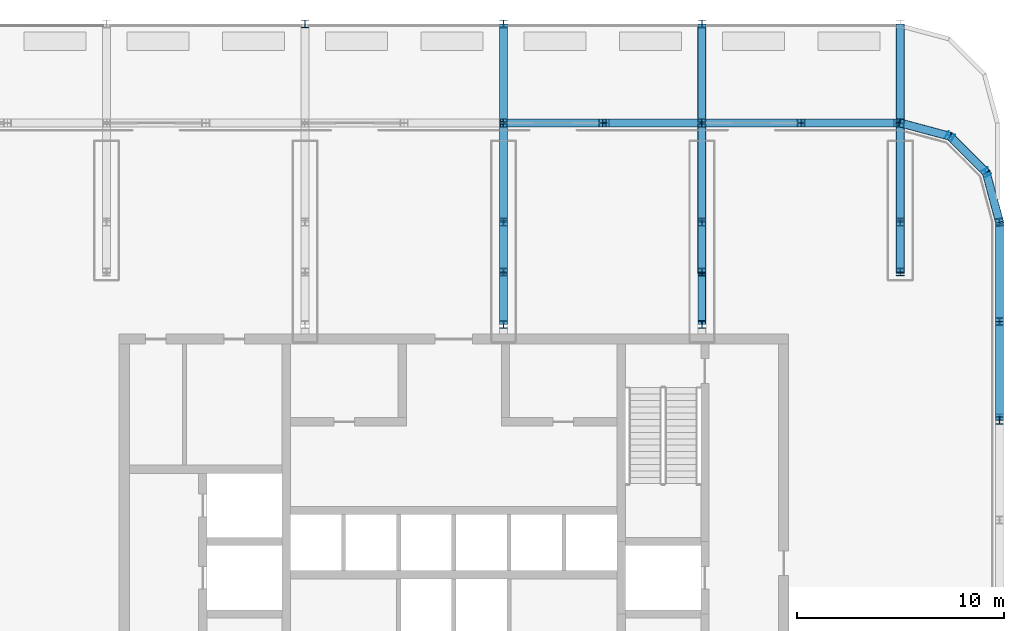
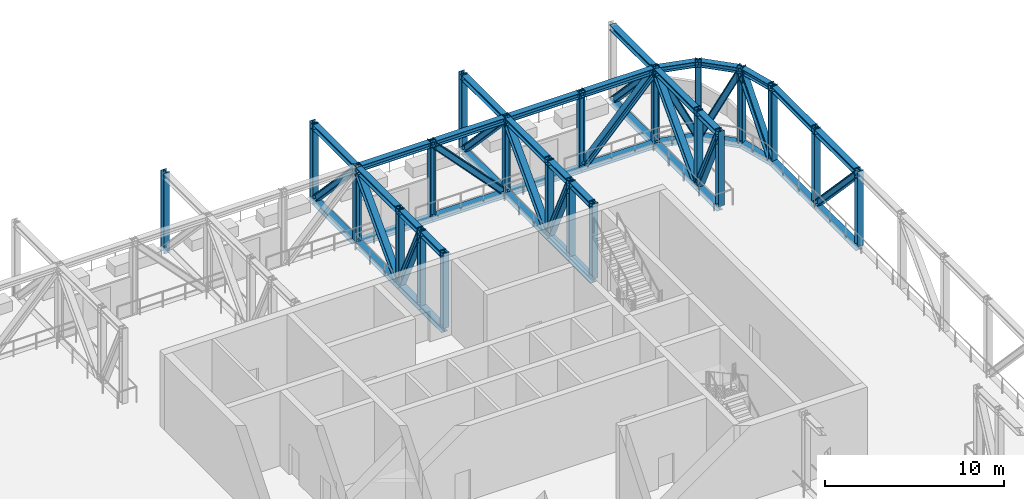
# One storey, part 6 of 16: 76 members.
"""IFC4 building model written with IfcOpenShell, lengths in metres."""

from ifc_helpers import new_model, si_unit, direction, frame, origin, origin_2d, place, context, subcontext, project, spatial, i_section, extrude, material, material_profile, profile_set, type_object, element, save


model = new_model("IFC4")

# Units and contexts
model_context = context("Model", 3, precision=1e-05, world=origin(), true_north=direction((0.0, 1.0)))
body_context = subcontext(model_context, "Body", "Model", "MODEL_VIEW")
ifc_project = project(units=[si_unit("LENGTHUNIT", "METRE"), si_unit("AREAUNIT", "SQUARE_METRE"), si_unit("VOLUMEUNIT", "CUBIC_METRE"), si_unit("PLANEANGLEUNIT", "RADIAN"), si_unit("MASSUNIT", "GRAM", prefix="KILO")], contexts=[model_context])

# Site, building, storey
site_placement = place(None, origin())
site = spatial("IfcSite", under=ifc_project, at=site_placement, CompositionType="ELEMENT")
building_placement = place(site_placement, origin())
building = spatial("IfcBuilding", under=site, at=building_placement, Name="Madar Terraces", CompositionType="ELEMENT")
storey_placement = place(building_placement, frame((0.0, 0.0, 263.199951171875)))
storey = spatial("IfcBuildingStorey", under=building, at=storey_placement, Name="L69", CompositionType="ELEMENT", Elevation=263.199951171875)

# Members
ifc_material_1 = material(Name="Steel ASTM A992 Grade 50", Category="steel")
ifc_material_profile_1 = material_profile(ifc_material_1, i_section(OverallWidth=0.396240234375, OverallDepth=0.381103515625, WebThickness=0.01904296875, FlangeThickness=0.0302734375, at=origin_2d()), Name="W14x159")
ifc_profile_set_1 = profile_set([ifc_material_profile_1], Name="Steel ASTM A992 Grade 50")
member_type_1 = type_object("IfcMemberType", Name="BC9 W14x159", PredefinedType="CHORD", material=ifc_profile_set_1)
member_1_placement = place(storey_placement, frame((57.60009765625, 33.60009765625, -0.2294921875), z_axis=(0.0, 1.0, 0.0), x_axis=(-1.0, 0.0, 0.0)))
element("IfcMember", 1, at=member_1_placement, inside=storey, type_object=member_type_1, Name="Exoskeleton truss ring bottom chord BC9", PredefinedType="CHORD", context=body_context, shape_type="SweptSolid", body=[
    extrude(i_section(OverallWidth=0.396240234375, OverallDepth=0.381103515625, WebThickness=0.01904296875, FlangeThickness=0.0302734375, at=origin_2d()), origin(), (0.0, 0.0, 1.0), 4.7998046875),
])
member_2_placement = place(storey_placement, frame((57.60009765625, 38.39990234375, -0.2294921875), z_axis=(0.0, 1.0, 0.0), x_axis=(-1.0, 0.0, 0.0)))
element("IfcMember", 2, at=member_2_placement, inside=storey, type_object=member_type_1, Name="Exoskeleton truss ring bottom chord BC9", PredefinedType="CHORD", context=body_context, shape_type="SweptSolid", body=[
    extrude(i_section(OverallWidth=0.396240234375, OverallDepth=0.381103515625, WebThickness=0.01904296875, FlangeThickness=0.0302734375, at=origin_2d()), origin(), (0.0, 0.0, 1.0), 4.800048828125),
])
member_3_placement = place(storey_placement, frame((57.60009765625, 43.199951171875, -0.2294921875), z_axis=(-0.258799930484, 0.965930947833, 0.0), x_axis=(-0.965930947833, -0.258799930484, 0.0)))
element("IfcMember", 3, at=member_3_placement, inside=storey, type_object=member_type_1, Name="Exoskeleton truss ring bottom chord BC9", PredefinedType="CHORD", context=body_context, shape_type="SweptSolid", body=[
    extrude(i_section(OverallWidth=0.396240234375, OverallDepth=0.381103515625, WebThickness=0.01904296875, FlangeThickness=0.0302734375, at=origin_2d()), origin(), (0.0, 0.0, 1.0), 2.48486328125),
])
for number, where, z_axis, x_axis, name in (
    (4, (56.95703125, 45.60009765625, -0.2294921875), (-0.707155907999, 0.70705765096, 0.0), (-0.70705765096, -0.707155907999, 0.0), "Exoskeleton truss ring bottom chord BC9"),
    (5, (55.199951171875, 47.35693359375, -0.2294921875), (-0.965924366126, 0.258824494443, 0.0), (-0.258824494443, -0.965924366126, 0.0), "Exoskeleton truss ring bottom chord BC9"),
):
    element("IfcMember", number, at=place(storey_placement, frame(where, z_axis=z_axis, x_axis=x_axis)), inside=storey, type_object=member_type_1, Name=name, PredefinedType="CHORD", context=body_context, shape_type="SweptSolid", body=[
        extrude(i_section(OverallWidth=0.396240234375, OverallDepth=0.381103515625, WebThickness=0.01904296875, FlangeThickness=0.0302734375, at=origin_2d()), origin(), (0.0, 0.0, 1.0), 2.484619140625),
    ])
for number, where, z_axis, x_axis, name in (
    (6, (52.800048828125, 48.0, -0.2294921875), (-1.0, 0.0, 0.0), (0.0, -1.0, 0.0), "Exoskeleton truss ring bottom chord BC9"),
    (7, (48.0, 48.0, -0.2294921875), (-1.0, 0.0, 0.0), (0.0, -1.0, 0.0), "Exoskeleton truss ring bottom chord BC9"),
    (8, (43.199951171875, 48.0, -0.2294921875), (-1.0, 0.0, 0.0), (0.0, -1.0, 0.0), "Exoskeleton truss ring bottom chord BC9"),
):
    element("IfcMember", number, at=place(storey_placement, frame(where, z_axis=z_axis, x_axis=x_axis)), inside=storey, type_object=member_type_1, Name=name, PredefinedType="CHORD", context=body_context, shape_type="SweptSolid", body=[
        extrude(i_section(OverallWidth=0.396240234375, OverallDepth=0.381103515625, WebThickness=0.01904296875, FlangeThickness=0.0302734375, at=origin_2d()), origin(), (0.0, 0.0, 1.0), 4.800048828125),
    ])
member_4_placement = place(storey_placement, frame((38.39990234375, 48.0, -0.2294921875), z_axis=(-1.0, 0.0, 0.0), x_axis=(0.0, -1.0, 0.0)))
element("IfcMember", 9, at=member_4_placement, inside=storey, type_object=member_type_1, Name="Exoskeleton truss ring bottom chord BC9", PredefinedType="CHORD", context=body_context, shape_type="SweptSolid", body=[
    extrude(i_section(OverallWidth=0.396240234375, OverallDepth=0.381103515625, WebThickness=0.01904296875, FlangeThickness=0.0302734375, at=origin_2d()), origin(), (0.0, 0.0, 1.0), 4.7998046875),
])
for number, where, z_axis, x_axis, name in (
    (10, (33.60009765625, 52.800048828125, -0.2294921875), (0.0, -1.0, 0.0), (1.0, 0.0, 0.0), "Exoskeleton truss cross N33.6 bottom chord BC9"),
    (11, (33.60009765625, 47.802001953125, -0.2294921875), (0.0, -1.0, 0.0), (1.0, 0.0, 0.0), "Exoskeleton truss cross N33.6 bottom chord BC9"),
):
    element("IfcMember", number, at=place(storey_placement, frame(where, z_axis=z_axis, x_axis=x_axis)), inside=storey, type_object=member_type_1, Name=name, PredefinedType="CHORD", context=body_context, shape_type="SweptSolid", body=[
        extrude(i_section(OverallWidth=0.396240234375, OverallDepth=0.381103515625, WebThickness=0.01904296875, FlangeThickness=0.0302734375, at=origin_2d()), origin(), (0.0, 0.0, 1.0), 4.60205078125),
    ])
member_5_placement = place(storey_placement, frame((33.60009765625, 43.199951171875, -0.2294921875), z_axis=(0.0, -1.0, 0.0), x_axis=(1.0, 0.0, 0.0)))
element("IfcMember", 12, at=member_5_placement, inside=storey, type_object=member_type_1, Name="Exoskeleton truss cross N33.6 bottom chord BC9", PredefinedType="CHORD", context=body_context, shape_type="SweptSolid", body=[
    extrude(i_section(OverallWidth=0.396240234375, OverallDepth=0.381103515625, WebThickness=0.01904296875, FlangeThickness=0.0302734375, at=origin_2d()), origin(), (0.0, 0.0, 1.0), 2.39990234375),
])
member_6_placement = place(storey_placement, frame((33.60009765625, 40.800048828125, -0.2294921875), z_axis=(0.0, -1.0, 0.0), x_axis=(1.0, 0.0, 0.0)))
element("IfcMember", 13, at=member_6_placement, inside=storey, type_object=member_type_1, Name="Exoskeleton truss cross N33.6 bottom chord BC9", PredefinedType="CHORD", context=body_context, shape_type="SweptSolid", body=[
    extrude(i_section(OverallWidth=0.396240234375, OverallDepth=0.381103515625, WebThickness=0.01904296875, FlangeThickness=0.0302734375, at=origin_2d()), origin(), (0.0, 0.0, 1.0), 2.550048828125),
])
for number, where, z_axis, x_axis, name in (
    (14, (43.199951171875, 52.800048828125, -0.2294921875), (0.0, -1.0, 0.0), (1.0, 0.0, 0.0), "Exoskeleton truss cross N43.2 bottom chord BC9"),
    (15, (43.199951171875, 47.802001953125, -0.2294921875), (0.0, -1.0, 0.0), (1.0, 0.0, 0.0), "Exoskeleton truss cross N43.2 bottom chord BC9"),
):
    element("IfcMember", number, at=place(storey_placement, frame(where, z_axis=z_axis, x_axis=x_axis)), inside=storey, type_object=member_type_1, Name=name, PredefinedType="CHORD", context=body_context, shape_type="SweptSolid", body=[
        extrude(i_section(OverallWidth=0.396240234375, OverallDepth=0.381103515625, WebThickness=0.01904296875, FlangeThickness=0.0302734375, at=origin_2d()), origin(), (0.0, 0.0, 1.0), 4.60205078125),
    ])
member_7_placement = place(storey_placement, frame((43.199951171875, 43.199951171875, -0.2294921875), z_axis=(0.0, -1.0, 0.0), x_axis=(1.0, 0.0, 0.0)))
element("IfcMember", 16, at=member_7_placement, inside=storey, type_object=member_type_1, Name="Exoskeleton truss cross N43.2 bottom chord BC9", PredefinedType="CHORD", context=body_context, shape_type="SweptSolid", body=[
    extrude(i_section(OverallWidth=0.396240234375, OverallDepth=0.381103515625, WebThickness=0.01904296875, FlangeThickness=0.0302734375, at=origin_2d()), origin(), (0.0, 0.0, 1.0), 2.39990234375),
])
member_8_placement = place(storey_placement, frame((43.199951171875, 40.800048828125, -0.2294921875), z_axis=(0.0, -1.0, 0.0), x_axis=(1.0, 0.0, 0.0)))
element("IfcMember", 17, at=member_8_placement, inside=storey, type_object=member_type_1, Name="Exoskeleton truss cross N43.2 bottom chord BC9", PredefinedType="CHORD", context=body_context, shape_type="SweptSolid", body=[
    extrude(i_section(OverallWidth=0.396240234375, OverallDepth=0.381103515625, WebThickness=0.01904296875, FlangeThickness=0.0302734375, at=origin_2d()), origin(), (0.0, 0.0, 1.0), 2.550048828125),
])
for number, where, z_axis, x_axis, name in (
    (18, (52.800048828125, 52.800048828125, -0.2294921875), (0.0, -1.0, 0.0), (1.0, 0.0, 0.0), "Exoskeleton truss cross N52.8 bottom chord BC9"),
    (19, (52.800048828125, 47.802001953125, -0.2294921875), (0.0, -1.0, 0.0), (1.0, 0.0, 0.0), "Exoskeleton truss cross N52.8 bottom chord BC9"),
):
    element("IfcMember", number, at=place(storey_placement, frame(where, z_axis=z_axis, x_axis=x_axis)), inside=storey, type_object=member_type_1, Name=name, PredefinedType="CHORD", context=body_context, shape_type="SweptSolid", body=[
        extrude(i_section(OverallWidth=0.396240234375, OverallDepth=0.381103515625, WebThickness=0.01904296875, FlangeThickness=0.0302734375, at=origin_2d()), origin(), (0.0, 0.0, 1.0), 4.60205078125),
    ])
member_9_placement = place(storey_placement, frame((52.800048828125, 43.199951171875, -0.2294921875), z_axis=(0.0, -1.0, 0.0), x_axis=(1.0, 0.0, 0.0)))
element("IfcMember", 20, at=member_9_placement, inside=storey, type_object=member_type_1, Name="Exoskeleton truss cross N52.8 bottom chord BC9", PredefinedType="CHORD", context=body_context, shape_type="SweptSolid", body=[
    extrude(i_section(OverallWidth=0.396240234375, OverallDepth=0.381103515625, WebThickness=0.01904296875, FlangeThickness=0.0302734375, at=origin_2d()), origin(), (0.0, 0.0, 1.0), 2.39990234375),
])
ifc_material_2 = material(Name="Steel ASTM A992 Grade 50", Category="steel")
ifc_material_profile_2 = material_profile(ifc_material_2, i_section(OverallWidth=0.373291015625, OverallDepth=0.373291015625, WebThickness=0.016357421875, FlangeThickness=0.026123046875, at=origin_2d()), Name="W14x132")
ifc_profile_set_2 = profile_set([ifc_material_profile_2], Name="Steel ASTM A992 Grade 50")
member_type_2 = type_object("IfcMemberType", Name="TC9 W14x132", PredefinedType="CHORD", material=ifc_profile_set_2)
member_10_placement = place(storey_placement, frame((57.60009765625, 33.60009765625, 4.84326171875), z_axis=(0.0, 1.0, 0.0), x_axis=(-1.0, 0.0, 0.0)))
element("IfcMember", 21, at=member_10_placement, inside=storey, type_object=member_type_2, Name="Exoskeleton truss ring top chord TC9", PredefinedType="CHORD", context=body_context, shape_type="SweptSolid", body=[
    extrude(i_section(OverallWidth=0.373291015625, OverallDepth=0.373291015625, WebThickness=0.016357421875, FlangeThickness=0.026123046875, at=origin_2d()), origin(), (0.0, 0.0, 1.0), 4.7998046875),
])
member_11_placement = place(storey_placement, frame((57.60009765625, 38.39990234375, 4.84326171875), z_axis=(0.0, 1.0, 0.0), x_axis=(-1.0, 0.0, 0.0)))
element("IfcMember", 22, at=member_11_placement, inside=storey, type_object=member_type_2, Name="Exoskeleton truss ring top chord TC9", PredefinedType="CHORD", context=body_context, shape_type="SweptSolid", body=[
    extrude(i_section(OverallWidth=0.373291015625, OverallDepth=0.373291015625, WebThickness=0.016357421875, FlangeThickness=0.026123046875, at=origin_2d()), origin(), (0.0, 0.0, 1.0), 4.800048828125),
])
member_12_placement = place(storey_placement, frame((57.60009765625, 43.199951171875, 4.84326171875), z_axis=(-0.258799930484, 0.965930947833, 0.0), x_axis=(-0.965930947833, -0.258799930484, 0.0)))
element("IfcMember", 23, at=member_12_placement, inside=storey, type_object=member_type_2, Name="Exoskeleton truss ring top chord TC9", PredefinedType="CHORD", context=body_context, shape_type="SweptSolid", body=[
    extrude(i_section(OverallWidth=0.373291015625, OverallDepth=0.373291015625, WebThickness=0.016357421875, FlangeThickness=0.026123046875, at=origin_2d()), origin(), (0.0, 0.0, 1.0), 2.48486328125),
])
for number, where, z_axis, x_axis, name in (
    (24, (56.95703125, 45.60009765625, 4.84326171875), (-0.707155907999, 0.70705765096, 0.0), (-0.70705765096, -0.707155907999, 0.0), "Exoskeleton truss ring top chord TC9"),
    (25, (55.199951171875, 47.35693359375, 4.84326171875), (-0.965924366126, 0.258824494443, 0.0), (-0.258824494443, -0.965924366126, 0.0), "Exoskeleton truss ring top chord TC9"),
):
    element("IfcMember", number, at=place(storey_placement, frame(where, z_axis=z_axis, x_axis=x_axis)), inside=storey, type_object=member_type_2, Name=name, PredefinedType="CHORD", context=body_context, shape_type="SweptSolid", body=[
        extrude(i_section(OverallWidth=0.373291015625, OverallDepth=0.373291015625, WebThickness=0.016357421875, FlangeThickness=0.026123046875, at=origin_2d()), origin(), (0.0, 0.0, 1.0), 2.484619140625),
    ])
for number, where, z_axis, x_axis, name in (
    (26, (52.800048828125, 48.0, 4.84326171875), (-1.0, 0.0, 0.0), (0.0, -1.0, 0.0), "Exoskeleton truss ring top chord TC9"),
    (27, (48.0, 48.0, 4.84326171875), (-1.0, 0.0, 0.0), (0.0, -1.0, 0.0), "Exoskeleton truss ring top chord TC9"),
    (28, (43.199951171875, 48.0, 4.84326171875), (-1.0, 0.0, 0.0), (0.0, -1.0, 0.0), "Exoskeleton truss ring top chord TC9"),
):
    element("IfcMember", number, at=place(storey_placement, frame(where, z_axis=z_axis, x_axis=x_axis)), inside=storey, type_object=member_type_2, Name=name, PredefinedType="CHORD", context=body_context, shape_type="SweptSolid", body=[
        extrude(i_section(OverallWidth=0.373291015625, OverallDepth=0.373291015625, WebThickness=0.016357421875, FlangeThickness=0.026123046875, at=origin_2d()), origin(), (0.0, 0.0, 1.0), 4.800048828125),
    ])
member_13_placement = place(storey_placement, frame((38.39990234375, 48.0, 4.84326171875), z_axis=(-1.0, 0.0, 0.0), x_axis=(0.0, -1.0, 0.0)))
element("IfcMember", 29, at=member_13_placement, inside=storey, type_object=member_type_2, Name="Exoskeleton truss ring top chord TC9", PredefinedType="CHORD", context=body_context, shape_type="SweptSolid", body=[
    extrude(i_section(OverallWidth=0.373291015625, OverallDepth=0.373291015625, WebThickness=0.016357421875, FlangeThickness=0.026123046875, at=origin_2d()), origin(), (0.0, 0.0, 1.0), 4.7998046875),
])
for number, where, z_axis, x_axis, name in (
    (30, (33.60009765625, 52.800048828125, 4.84326171875), (0.0, -1.0, 0.0), (1.0, 0.0, 0.0), "Exoskeleton truss cross N33.6 top chord TC9"),
    (31, (33.60009765625, 47.813232421875, 4.84326171875), (0.0, -1.0, 0.0), (1.0, 0.0, 0.0), "Exoskeleton truss cross N33.6 top chord TC9"),
):
    element("IfcMember", number, at=place(storey_placement, frame(where, z_axis=z_axis, x_axis=x_axis)), inside=storey, type_object=member_type_2, Name=name, PredefinedType="CHORD", context=body_context, shape_type="SweptSolid", body=[
        extrude(i_section(OverallWidth=0.373291015625, OverallDepth=0.373291015625, WebThickness=0.016357421875, FlangeThickness=0.026123046875, at=origin_2d()), origin(), (0.0, 0.0, 1.0), 4.61328125),
    ])
member_14_placement = place(storey_placement, frame((33.60009765625, 43.199951171875, 4.84326171875), z_axis=(0.0, -1.0, 0.0), x_axis=(1.0, 0.0, 0.0)))
element("IfcMember", 32, at=member_14_placement, inside=storey, type_object=member_type_2, Name="Exoskeleton truss cross N33.6 top chord TC9", PredefinedType="CHORD", context=body_context, shape_type="SweptSolid", body=[
    extrude(i_section(OverallWidth=0.373291015625, OverallDepth=0.373291015625, WebThickness=0.016357421875, FlangeThickness=0.026123046875, at=origin_2d()), origin(), (0.0, 0.0, 1.0), 2.39990234375),
])
member_15_placement = place(storey_placement, frame((33.60009765625, 40.800048828125, 4.84326171875), z_axis=(0.0, -1.0, 0.0), x_axis=(1.0, 0.0, 0.0)))
element("IfcMember", 33, at=member_15_placement, inside=storey, type_object=member_type_2, Name="Exoskeleton truss cross N33.6 top chord TC9", PredefinedType="CHORD", context=body_context, shape_type="SweptSolid", body=[
    extrude(i_section(OverallWidth=0.373291015625, OverallDepth=0.373291015625, WebThickness=0.016357421875, FlangeThickness=0.026123046875, at=origin_2d()), origin(), (0.0, 0.0, 1.0), 2.550048828125),
])
for number, where, z_axis, x_axis, name in (
    (34, (43.199951171875, 52.800048828125, 4.84326171875), (0.0, -1.0, 0.0), (1.0, 0.0, 0.0), "Exoskeleton truss cross N43.2 top chord TC9"),
    (35, (43.199951171875, 47.813232421875, 4.84326171875), (0.0, -1.0, 0.0), (1.0, 0.0, 0.0), "Exoskeleton truss cross N43.2 top chord TC9"),
):
    element("IfcMember", number, at=place(storey_placement, frame(where, z_axis=z_axis, x_axis=x_axis)), inside=storey, type_object=member_type_2, Name=name, PredefinedType="CHORD", context=body_context, shape_type="SweptSolid", body=[
        extrude(i_section(OverallWidth=0.373291015625, OverallDepth=0.373291015625, WebThickness=0.016357421875, FlangeThickness=0.026123046875, at=origin_2d()), origin(), (0.0, 0.0, 1.0), 4.61328125),
    ])
member_16_placement = place(storey_placement, frame((43.199951171875, 43.199951171875, 4.84326171875), z_axis=(0.0, -1.0, 0.0), x_axis=(1.0, 0.0, 0.0)))
element("IfcMember", 36, at=member_16_placement, inside=storey, type_object=member_type_2, Name="Exoskeleton truss cross N43.2 top chord TC9", PredefinedType="CHORD", context=body_context, shape_type="SweptSolid", body=[
    extrude(i_section(OverallWidth=0.373291015625, OverallDepth=0.373291015625, WebThickness=0.016357421875, FlangeThickness=0.026123046875, at=origin_2d()), origin(), (0.0, 0.0, 1.0), 2.39990234375),
])
member_17_placement = place(storey_placement, frame((43.199951171875, 40.800048828125, 4.84326171875), z_axis=(0.0, -1.0, 0.0), x_axis=(1.0, 0.0, 0.0)))
element("IfcMember", 37, at=member_17_placement, inside=storey, type_object=member_type_2, Name="Exoskeleton truss cross N43.2 top chord TC9", PredefinedType="CHORD", context=body_context, shape_type="SweptSolid", body=[
    extrude(i_section(OverallWidth=0.373291015625, OverallDepth=0.373291015625, WebThickness=0.016357421875, FlangeThickness=0.026123046875, at=origin_2d()), origin(), (0.0, 0.0, 1.0), 2.550048828125),
])
for number, where, z_axis, x_axis, name in (
    (38, (52.800048828125, 52.800048828125, 4.84326171875), (0.0, -1.0, 0.0), (1.0, 0.0, 0.0), "Exoskeleton truss cross N52.8 top chord TC9"),
    (39, (52.800048828125, 47.813232421875, 4.84326171875), (0.0, -1.0, 0.0), (1.0, 0.0, 0.0), "Exoskeleton truss cross N52.8 top chord TC9"),
):
    element("IfcMember", number, at=place(storey_placement, frame(where, z_axis=z_axis, x_axis=x_axis)), inside=storey, type_object=member_type_2, Name=name, PredefinedType="CHORD", context=body_context, shape_type="SweptSolid", body=[
        extrude(i_section(OverallWidth=0.373291015625, OverallDepth=0.373291015625, WebThickness=0.016357421875, FlangeThickness=0.026123046875, at=origin_2d()), origin(), (0.0, 0.0, 1.0), 4.61328125),
    ])
member_18_placement = place(storey_placement, frame((52.800048828125, 43.199951171875, 4.84326171875), z_axis=(0.0, -1.0, 0.0), x_axis=(1.0, 0.0, 0.0)))
element("IfcMember", 40, at=member_18_placement, inside=storey, type_object=member_type_2, Name="Exoskeleton truss cross N52.8 top chord TC9", PredefinedType="CHORD", context=body_context, shape_type="SweptSolid", body=[
    extrude(i_section(OverallWidth=0.373291015625, OverallDepth=0.373291015625, WebThickness=0.016357421875, FlangeThickness=0.026123046875, at=origin_2d()), origin(), (0.0, 0.0, 1.0), 2.39990234375),
])
ifc_material_3 = material(Name="Steel ASTM A992 Grade 50", Category="steel")
ifc_material_profile_3 = material_profile(ifc_material_3, i_section(OverallWidth=0.4013671875, OverallDepth=0.398681640625, WebThickness=0.02490234375, FlangeThickness=0.03955078125, at=origin_2d()), Name="W14x211")
ifc_profile_set_3 = profile_set([ifc_material_profile_3], Name="Steel ASTM A992 Grade 50")
member_type_3 = type_object("IfcMemberType", Name="TD9 W14x211", PredefinedType="BRACE", material=ifc_profile_set_3)
member_19_placement = place(storey_placement, frame((57.60009765625, 33.776611328125, 4.65673828125), z_axis=(0.0, 0.687293038858, -0.726380257673), x_axis=(-1.0, 0.0, 0.0)))
element("IfcMember", 41, at=member_19_placement, inside=storey, type_object=member_type_3, Name="Exoskeleton truss ring diagonal TD9", PredefinedType="BRACE", context=body_context, shape_type="SweptSolid", body=[
    extrude(i_section(OverallWidth=0.4013671875, OverallDepth=0.398681640625, WebThickness=0.02490234375, FlangeThickness=0.03955078125, at=origin_2d()), origin(), (0.0, 0.0, 1.0), 6.464599609375),
])
member_20_placement = place(storey_placement, frame((57.575927734375, 43.2900390625, -0.0390625), z_axis=(-0.113879312726, 0.424887964659, 0.89805440794), x_axis=(-0.965908248011, -0.25888463922, 0.0)))
element("IfcMember", 42, at=member_20_placement, inside=storey, type_object=member_type_3, Name="Exoskeleton truss ring diagonal TD9", PredefinedType="BRACE", context=body_context, shape_type="SweptSolid", body=[
    extrude(i_section(OverallWidth=0.4013671875, OverallDepth=0.398681640625, WebThickness=0.02490234375, FlangeThickness=0.03955078125, at=origin_2d()), origin(), (0.0, 0.0, 1.0), 5.228759765625),
])
member_21_placement = place(storey_placement, frame((56.892333984375, 45.66455078125, 4.65673828125), z_axis=(-0.311053387591, 0.311053387591, -0.898048762672), x_axis=(-0.707106781187, -0.707106781187, 0.0)))
element("IfcMember", 43, at=member_21_placement, inside=storey, type_object=member_type_3, Name="Exoskeleton truss ring diagonal TD9", PredefinedType="BRACE", context=body_context, shape_type="SweptSolid", body=[
    extrude(i_section(OverallWidth=0.4013671875, OverallDepth=0.398681640625, WebThickness=0.02490234375, FlangeThickness=0.03955078125, at=origin_2d()), origin(), (0.0, 0.0, 1.0), 5.22900390625),
])
member_22_placement = place(storey_placement, frame((55.10986328125, 47.381103515625, -0.0390625), z_axis=(-0.424851960278, 0.113835485125, 0.89807699791), x_axis=(-0.258812141374, -0.965927676111, 0.0)))
element("IfcMember", 44, at=member_22_placement, inside=storey, type_object=member_type_3, Name="Exoskeleton truss ring diagonal TD9", PredefinedType="BRACE", context=body_context, shape_type="SweptSolid", body=[
    extrude(i_section(OverallWidth=0.4013671875, OverallDepth=0.398681640625, WebThickness=0.02490234375, FlangeThickness=0.03955078125, at=origin_2d()), origin(), (0.0, 0.0, 1.0), 5.228759765625),
])
for number, where, z_axis, x_axis, name in (
    (45, (52.623291015625, 48.0, 4.65673828125), (-0.687293038858, 0.0, -0.726380257673), (0.0, -1.0, 0.0), "Exoskeleton truss ring diagonal TD9"),
    (46, (43.019775390625, 48.0, -0.0390625), (-0.687293038858, 0.0, 0.726380257673), (0.0, -1.0, 0.0), "Exoskeleton truss ring diagonal TD9"),
):
    element("IfcMember", number, at=place(storey_placement, frame(where, z_axis=z_axis, x_axis=x_axis)), inside=storey, type_object=member_type_3, Name=name, PredefinedType="BRACE", context=body_context, shape_type="SweptSolid", body=[
        extrude(i_section(OverallWidth=0.4013671875, OverallDepth=0.398681640625, WebThickness=0.02490234375, FlangeThickness=0.03955078125, at=origin_2d()), origin(), (0.0, 0.0, 1.0), 6.464599609375),
    ])
for number, where, z_axis, x_axis, name in (
    (47, (33.60009765625, 52.61962890625, -0.0390625), (0.0, -0.687292950372, 0.726380341398), (1.0, 0.0, 0.0), "Exoskeleton truss cross N33.6 diagonal TD9"),
    (48, (33.60009765625, 47.802001953125, 4.634033203125), (0.0, -0.687292950372, -0.726380341398), (1.0, 0.0, 0.0), "Exoskeleton truss cross N33.6 diagonal TD9"),
):
    element("IfcMember", number, at=place(storey_placement, frame(where, z_axis=z_axis, x_axis=x_axis)), inside=storey, type_object=member_type_3, Name=name, PredefinedType="BRACE", context=body_context, shape_type="SweptSolid", body=[
        extrude(i_section(OverallWidth=0.4013671875, OverallDepth=0.398681640625, WebThickness=0.02490234375, FlangeThickness=0.03955078125, at=origin_2d()), origin(), (0.0, 0.0, 1.0), 6.433349609375),
    ])
member_23_placement = place(storey_placement, frame((33.60009765625, 43.10986328125, -0.0390625), z_axis=(0.0, -0.427631731749, 0.903953041923), x_axis=(1.0, 0.0, 0.0)))
element("IfcMember", 49, at=member_23_placement, inside=storey, type_object=member_type_3, Name="Exoskeleton truss cross N33.6 diagonal TD9", PredefinedType="BRACE", context=body_context, shape_type="SweptSolid", body=[
    extrude(i_section(OverallWidth=0.4013671875, OverallDepth=0.398681640625, WebThickness=0.02490234375, FlangeThickness=0.03955078125, at=origin_2d()), origin(), (0.0, 0.0, 1.0), 5.19482421875),
])
for number, where, z_axis, x_axis, name in (
    (50, (43.199951171875, 52.61962890625, -0.0390625), (0.0, -0.687292950372, 0.726380341398), (1.0, 0.0, 0.0), "Exoskeleton truss cross N43.2 diagonal TD9"),
    (51, (43.199951171875, 47.802001953125, 4.634033203125), (0.0, -0.687292950372, -0.726380341398), (1.0, 0.0, 0.0), "Exoskeleton truss cross N43.2 diagonal TD9"),
):
    element("IfcMember", number, at=place(storey_placement, frame(where, z_axis=z_axis, x_axis=x_axis)), inside=storey, type_object=member_type_3, Name=name, PredefinedType="BRACE", context=body_context, shape_type="SweptSolid", body=[
        extrude(i_section(OverallWidth=0.4013671875, OverallDepth=0.398681640625, WebThickness=0.02490234375, FlangeThickness=0.03955078125, at=origin_2d()), origin(), (0.0, 0.0, 1.0), 6.433349609375),
    ])
member_24_placement = place(storey_placement, frame((43.199951171875, 43.10986328125, -0.0390625), z_axis=(0.0, -0.427631731749, 0.903953041923), x_axis=(1.0, 0.0, 0.0)))
element("IfcMember", 52, at=member_24_placement, inside=storey, type_object=member_type_3, Name="Exoskeleton truss cross N43.2 diagonal TD9", PredefinedType="BRACE", context=body_context, shape_type="SweptSolid", body=[
    extrude(i_section(OverallWidth=0.4013671875, OverallDepth=0.398681640625, WebThickness=0.02490234375, FlangeThickness=0.03955078125, at=origin_2d()), origin(), (0.0, 0.0, 1.0), 5.19482421875),
])
for number, where, z_axis, x_axis, name in (
    (53, (52.800048828125, 52.61962890625, -0.0390625), (0.0, -0.687292950372, 0.726380341398), (1.0, 0.0, 0.0), "Exoskeleton truss cross N52.8 diagonal TD9"),
    (54, (52.800048828125, 47.802001953125, 4.634033203125), (0.0, -0.687292950372, -0.726380341398), (1.0, 0.0, 0.0), "Exoskeleton truss cross N52.8 diagonal TD9"),
):
    element("IfcMember", number, at=place(storey_placement, frame(where, z_axis=z_axis, x_axis=x_axis)), inside=storey, type_object=member_type_3, Name=name, PredefinedType="BRACE", context=body_context, shape_type="SweptSolid", body=[
        extrude(i_section(OverallWidth=0.4013671875, OverallDepth=0.398681640625, WebThickness=0.02490234375, FlangeThickness=0.03955078125, at=origin_2d()), origin(), (0.0, 0.0, 1.0), 6.433349609375),
    ])
member_25_placement = place(storey_placement, frame((52.800048828125, 43.10986328125, -0.0390625), z_axis=(0.0, -0.427631731749, 0.903953041923), x_axis=(1.0, 0.0, 0.0)))
element("IfcMember", 55, at=member_25_placement, inside=storey, type_object=member_type_3, Name="Exoskeleton truss cross N52.8 diagonal TD9", PredefinedType="BRACE", context=body_context, shape_type="SweptSolid", body=[
    extrude(i_section(OverallWidth=0.4013671875, OverallDepth=0.398681640625, WebThickness=0.02490234375, FlangeThickness=0.03955078125, at=origin_2d()), origin(), (0.0, 0.0, 1.0), 5.19482421875),
])
ifc_material_4 = material(Name="Steel ASTM A992 Grade 50", Category="steel")
ifc_material_profile_4 = material_profile(ifc_material_4, i_section(OverallWidth=0.370849609375, OverallDepth=0.36328125, WebThickness=0.013427734375, FlangeThickness=0.021728515625, at=origin_2d()), Name="W14x109")
ifc_profile_set_4 = profile_set([ifc_material_profile_4], Name="Steel ASTM A992 Grade 50")
member_type_4 = type_object("IfcMemberType", Name="TV9 W14x109", PredefinedType="POST", material=ifc_profile_set_4)
member_26_placement = place(storey_placement, frame((57.60009765625, 33.60009765625, -0.0390625), z_axis=(0.0, 0.0, 1.0), x_axis=(-1.0, 0.0, 0.0)))
element("IfcMember", 56, at=member_26_placement, inside=storey, type_object=member_type_4, Name="Exoskeleton truss ring post TV9", PredefinedType="POST", context=body_context, shape_type="SweptSolid", body=[
    extrude(i_section(OverallWidth=0.370849609375, OverallDepth=0.36328125, WebThickness=0.013427734375, FlangeThickness=0.021728515625, at=origin_2d()), origin(), (0.0, 0.0, 1.0), 5.13916015625),
])
member_27_placement = place(storey_placement, frame((57.60009765625, 38.39990234375, -0.419921875), z_axis=(0.0, 0.0, 1.0), x_axis=(-1.0, 0.0, 0.0)))
element("IfcMember", 57, at=member_27_placement, inside=storey, type_object=member_type_4, Name="Exoskeleton truss ring post TV9", PredefinedType="POST", context=body_context, shape_type="SweptSolid", body=[
    extrude(i_section(OverallWidth=0.370849609375, OverallDepth=0.36328125, WebThickness=0.013427734375, FlangeThickness=0.021728515625, at=origin_2d()), origin(), (0.0, 0.0, 1.0), 5.52001953125),
])
for number, where, z_axis, x_axis, name in (
    (58, (57.60009765625, 43.199951171875, -0.0390625), (0.0, 0.0, 1.0), (-0.991444863652, -0.130526174916, 0.0), "Exoskeleton truss ring post TV9"),
    (59, (56.95703125, 45.60009765625, -0.0390625), (0.0, 0.0, 1.0), (-0.866025412511, -0.499999984885, 0.0), "Exoskeleton truss ring post TV9"),
    (60, (55.199951171875, 47.35693359375, -0.0390625), (0.0, 0.0, 1.0), (-0.499999984885, -0.866025412511, 0.0), "Exoskeleton truss ring post TV9"),
    (61, (52.800048828125, 48.0, -0.0390625), (0.0, 0.0, 1.0), (-0.130526174916, -0.991444863652, 0.0), "Exoskeleton truss ring post TV9"),
    (62, (48.0, 48.0, -0.0390625), (0.0, 0.0, 1.0), (0.0, -1.0, 0.0), "Exoskeleton truss ring post TV9"),
    (63, (43.199951171875, 48.0, -0.0390625), (0.0, 0.0, 1.0), (0.0, -1.0, 0.0), "Exoskeleton truss ring post TV9"),
    (64, (38.39990234375, 48.0, -0.0390625), (0.0, 0.0, 1.0), (0.0, -1.0, 0.0), "Exoskeleton truss ring post TV9"),
    (65, (33.60009765625, 48.0, -0.0390625), (0.0, 0.0, 1.0), (0.0, -1.0, 0.0), "Exoskeleton truss ring post TV9"),
):
    element("IfcMember", number, at=place(storey_placement, frame(where, z_axis=z_axis, x_axis=x_axis)), inside=storey, type_object=member_type_4, Name=name, PredefinedType="POST", context=body_context, shape_type="SweptSolid", body=[
        extrude(i_section(OverallWidth=0.370849609375, OverallDepth=0.36328125, WebThickness=0.013427734375, FlangeThickness=0.021728515625, at=origin_2d()), origin(), (0.0, 0.0, 1.0), 5.13916015625),
    ])
for number, where, z_axis, x_axis, name in (
    (66, (24.0, 52.800048828125, -0.419921875), (0.0, 0.0, 1.0), (-1.0, 0.0, 0.0), "Exoskeleton truss cross N24 post TV9"),
    (67, (33.60009765625, 52.800048828125, -0.419921875), (0.0, 0.0, 1.0), (-1.0, 0.0, 0.0), "Exoskeleton truss cross N33.6 post TV9"),
):
    element("IfcMember", number, at=place(storey_placement, frame(where, z_axis=z_axis, x_axis=x_axis)), inside=storey, type_object=member_type_4, Name=name, PredefinedType="POST", context=body_context, shape_type="SweptSolid", body=[
        extrude(i_section(OverallWidth=0.370849609375, OverallDepth=0.36328125, WebThickness=0.013427734375, FlangeThickness=0.021728515625, at=origin_2d()), origin(), (0.0, 0.0, 1.0), 5.52001953125),
    ])
for number, where, z_axis, x_axis, name in (
    (68, (33.60009765625, 43.199951171875, -0.0390625), (0.0, 0.0, 1.0), (-1.0, 0.0, 0.0), "Exoskeleton truss cross N33.6 post TV9"),
    (69, (33.60009765625, 40.800048828125, -0.0390625), (0.0, 0.0, 1.0), (-1.0, 0.0, 0.0), "Exoskeleton truss cross N33.6 post TV9"),
    (70, (33.60009765625, 38.25, -0.0390625), (0.0, 0.0, 1.0), (-1.0, 0.0, 0.0), "Exoskeleton truss cross N33.6 post TV9"),
):
    element("IfcMember", number, at=place(storey_placement, frame(where, z_axis=z_axis, x_axis=x_axis)), inside=storey, type_object=member_type_4, Name=name, PredefinedType="POST", context=body_context, shape_type="SweptSolid", body=[
        extrude(i_section(OverallWidth=0.370849609375, OverallDepth=0.36328125, WebThickness=0.013427734375, FlangeThickness=0.021728515625, at=origin_2d()), origin(), (0.0, 0.0, 1.0), 5.13916015625),
    ])
member_28_placement = place(storey_placement, frame((43.199951171875, 52.800048828125, -0.419921875), z_axis=(0.0, 0.0, 1.0), x_axis=(-1.0, 0.0, 0.0)))
element("IfcMember", 71, at=member_28_placement, inside=storey, type_object=member_type_4, Name="Exoskeleton truss cross N43.2 post TV9", PredefinedType="POST", context=body_context, shape_type="SweptSolid", body=[
    extrude(i_section(OverallWidth=0.370849609375, OverallDepth=0.36328125, WebThickness=0.013427734375, FlangeThickness=0.021728515625, at=origin_2d()), origin(), (0.0, 0.0, 1.0), 5.52001953125),
])
for number, where, z_axis, x_axis, name in (
    (72, (43.199951171875, 43.199951171875, -0.0390625), (0.0, 0.0, 1.0), (-1.0, 0.0, 0.0), "Exoskeleton truss cross N43.2 post TV9"),
    (73, (43.199951171875, 40.800048828125, -0.0390625), (0.0, 0.0, 1.0), (-1.0, 0.0, 0.0), "Exoskeleton truss cross N43.2 post TV9"),
    (74, (43.199951171875, 38.25, -0.0390625), (0.0, 0.0, 1.0), (-1.0, 0.0, 0.0), "Exoskeleton truss cross N43.2 post TV9"),
    (75, (52.800048828125, 43.199951171875, -0.0390625), (0.0, 0.0, 1.0), (-1.0, 0.0, 0.0), "Exoskeleton truss cross N52.8 post TV9"),
    (76, (52.800048828125, 40.800048828125, -0.0390625), (0.0, 0.0, 1.0), (-1.0, 0.0, 0.0), "Exoskeleton truss cross N52.8 post TV9"),
):
    element("IfcMember", number, at=place(storey_placement, frame(where, z_axis=z_axis, x_axis=x_axis)), inside=storey, type_object=member_type_4, Name=name, PredefinedType="POST", context=body_context, shape_type="SweptSolid", body=[
        extrude(i_section(OverallWidth=0.370849609375, OverallDepth=0.36328125, WebThickness=0.013427734375, FlangeThickness=0.021728515625, at=origin_2d()), origin(), (0.0, 0.0, 1.0), 5.13916015625),
    ])

save(model, "model.ifc")
